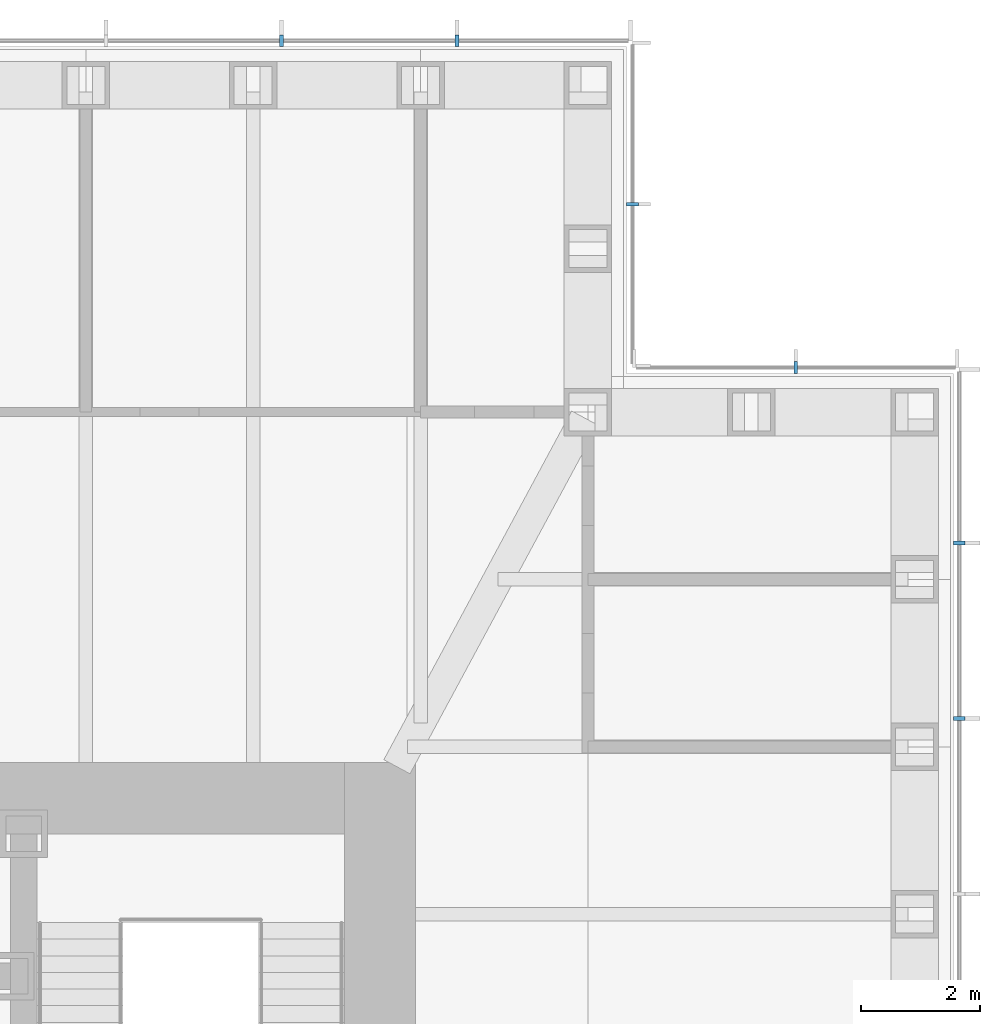
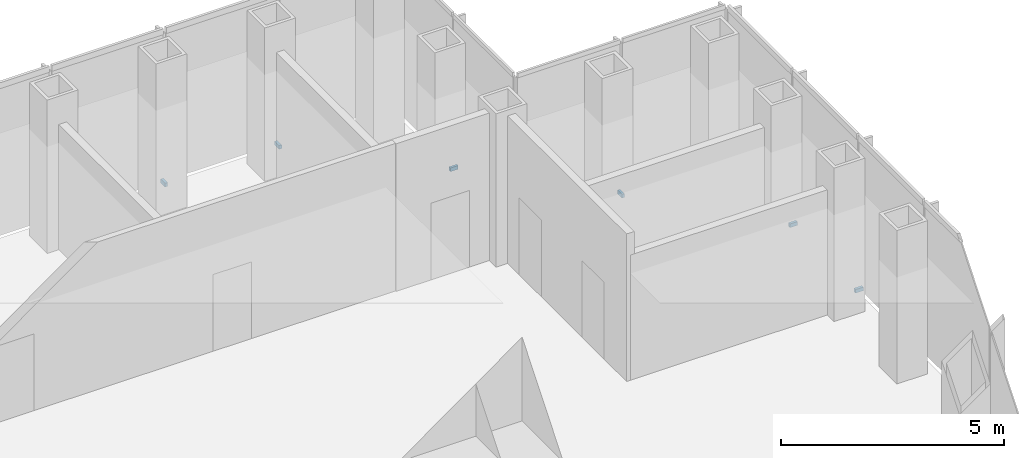
# One storey, part 15 of 16: 6 discrete accessories.
"""IFC4 building model written with IfcOpenShell, lengths in metres."""

import ifcopenshell
import ifcopenshell.guid

model = None  # the IFC model being written
_history = None  # IfcOwnerHistory: only IFC2X3 demands one
_inside = {}  # id of a spatial element -> (the spatial element, [elements in it])
_under = {}  # id of a project, library or spatial element -> (it, [spatial elements below it])
_declared = {}  # id of a project -> (the project, [libraries it declares])
_typed = {}  # id of a type object -> (the type object, [elements of that type])
_made_of = {}  # id of a material, layer set ... -> (it, [elements and type objects made of it])


def new_model(schema):
    """Start an empty IFC model of exactly this schema.

    Asked for "IFC4X3", IfcOpenShell would pick the latest addendum, in which some entities
    have other attributes; the version numbers below select the first issue.
    IFC2X3 requires an IfcOwnerHistory on every rooted entity: one is made here for all.
    """
    global model, _history
    if schema == "IFC4X3":
        model = ifcopenshell.file(schema_version=(4, 3, 0, 0))
    else:
        model = ifcopenshell.file(schema=schema)
    _inside.clear()
    _under.clear()
    _declared.clear()
    _typed.clear()
    _made_of.clear()
    _history = None
    if model.schema == "IFC2X3":
        org = make("IfcOrganization", Name="unknown")
        user = make(
            "IfcPersonAndOrganization",
            ThePerson=make("IfcPerson", FamilyName="unknown"),
            TheOrganization=org,
        )
        app = make(
            "IfcApplication",
            ApplicationDeveloper=org,
            Version="unknown",
            ApplicationFullName="unknown",
            ApplicationIdentifier="unknown",
        )
        _history = make(
            "IfcOwnerHistory",
            OwningUser=user,
            OwningApplication=app,
            ChangeAction="ADDED",
            CreationDate=0,
        )
    return model


def make(cls, **values):
    """One entity of the class cls with the attributes given. An attribute that is None is left unset."""
    return model.create_entity(
        cls, **{name: value for name, value in values.items() if value is not None}
    )


def rooted(cls, **values):
    """An entity with a GlobalId (a new one), such as an element, a storey or a relation."""
    return make(cls, GlobalId=ifcopenshell.guid.new(), OwnerHistory=_history, **values)


def si_unit(unit_type, name, prefix=None):
    """IfcSIUnit, for example si_unit("LENGTHUNIT", "METRE", prefix="MILLI")."""
    return make("IfcSIUnit", UnitType=unit_type, Prefix=prefix, Name=name)


def assignment(units):
    """IfcUnitAssignment: the units of a project."""
    return None if units is None else make("IfcUnitAssignment", Units=units)


def point(xyz):
    """IfcCartesianPoint."""
    return None if xyz is None else make("IfcCartesianPoint", Coordinates=xyz)


def direction(xyz):
    """IfcDirection."""
    return None if xyz is None else make("IfcDirection", DirectionRatios=xyz)


def frame(location, z_axis=None, x_axis=None):
    """IfcAxis2Placement3D, a coordinate frame: its origin and axes. An axis left out is left unset."""
    return make(
        "IfcAxis2Placement3D",
        Location=point(location),
        Axis=direction(z_axis),
        RefDirection=direction(x_axis),
    )


def frame_2d(location, x_axis=None):
    """IfcAxis2Placement2D, a coordinate frame in the plane: its origin and x axis."""
    return make(
        "IfcAxis2Placement2D", Location=point(location), RefDirection=direction(x_axis)
    )


def origin():
    """The frame at (0, 0, 0) with its axes left unset."""
    return frame((0.0, 0.0, 0.0))


def origin_2d():
    """The frame at (0, 0) in the plane with its x axis left unset."""
    return frame_2d((0.0, 0.0))


def place(relative_to, where):
    """IfcLocalPlacement: puts the frame where relative to a parent placement (None: the world)."""
    return make(
        "IfcLocalPlacement", PlacementRelTo=relative_to, RelativePlacement=where
    )


def context(
    kind, dimensions, precision=None, world=None, true_north=None, identifier=None
):
    """IfcGeometricRepresentationContext, for example the 3D "Model" context."""
    return make(
        "IfcGeometricRepresentationContext",
        ContextIdentifier=identifier,
        ContextType=kind,
        CoordinateSpaceDimension=dimensions,
        Precision=precision,
        WorldCoordinateSystem=world,
        TrueNorth=true_north,
    )


def subcontext(parent, identifier, kind, view, scale=None):
    """IfcGeometricRepresentationSubContext, for example "Body" below "Model"."""
    return make(
        "IfcGeometricRepresentationSubContext",
        ContextIdentifier=identifier,
        ContextType=kind,
        ParentContext=parent,
        TargetScale=scale,
        TargetView=view,
    )


def project(units=None, contexts=None):
    """IfcProject with its units and contexts."""
    return rooted(
        "IfcProject",
        Name="project",
        RepresentationContexts=contexts,
        UnitsInContext=assignment(units),
    )


def spatial(cls, under=None, at=None, **own):
    """A site, building, storey or space (cls), placed at a placement, below another one or the project."""
    s = rooted(cls, ObjectPlacement=at, **own)
    if under is not None:
        _under.setdefault(under.id(), (under, []))[1].append(s)
    return s


def profile(cls, at=None, kind="AREA", **sizes):
    """A parametric profile (cls). Its sizes go by their IFC names, for example OverallWidth=200.0."""
    return make(cls, ProfileType=kind, Position=at, **sizes)


def rectangle(**sizes):
    """IfcRectangleProfileDef."""
    return profile("IfcRectangleProfileDef", **sizes)


def extrude(swept, where, along, depth):
    """IfcExtrudedAreaSolid: the profile swept, set in the frame where, extruded along a direction by depth."""
    return make(
        "IfcExtrudedAreaSolid",
        SweptArea=swept,
        Position=where,
        ExtrudedDirection=direction(along),
        Depth=depth,
    )


def shape(context_of_items, identifier, shape_type, items):
    """IfcShapeRepresentation: the items that make up one representation, for example the "Body"."""
    return make(
        "IfcShapeRepresentation",
        ContextOfItems=context_of_items,
        RepresentationIdentifier=identifier,
        RepresentationType=shape_type,
        Items=items,
    )


def made_of(thing, what):
    """Note that an element or type object is made of a material, layer set ...; save() writes the relation."""
    if what is not None:
        _made_of.setdefault(what.id(), (what, []))[1].append(thing)
    return thing


def element(
    cls,
    number,
    at=None,
    inside=None,
    cuts=None,
    type_object=None,
    material=None,
    context=None,
    identifier="Body",
    shape_type=None,
    held_by="IfcProductDefinitionShape",
    body=None,
    shapes=None,
    **own,
):
    """One element of the class cls, such as IfcWall. Its Tag is "e" and its number.

    at: its placement. inside: the storey or other place that contains it. cuts: it is an
    opening in that element (IfcRelVoidsElement). A single representation is given by context,
    identifier, shape_type and body (its items); several are given by shapes. held_by: the class
    of the entity that holds the representations. save() writes the other relations.
    """
    e = rooted(cls, Tag="e%d" % number, ObjectPlacement=at, **own)
    if body is not None:
        shapes = [shape(context, identifier, shape_type, body)]
    if shapes is not None:
        e.Representation = make(held_by, Representations=shapes)
    if inside is not None:
        _inside.setdefault(inside.id(), (inside, []))[1].append(e)
    if cuts is not None:
        rooted(
            "IfcRelVoidsElement", RelatingBuildingElement=cuts, RelatedOpeningElement=e
        )
    if type_object is not None:
        _typed.setdefault(type_object.id(), (type_object, []))[1].append(e)
    return made_of(e, material)


def aggregate(whole, parts):
    """IfcRelAggregates: a whole, such as a stair, and the parts it consists of."""
    return rooted("IfcRelAggregates", RelatingObject=whole, RelatedObjects=parts)


def save(model, path):
    """Write the relations noted so far, then the file.

    IfcRelAggregates (storeys below a building ...), IfcRelContainedInSpatialStructure (elements
    in a storey), IfcRelDefinesByType, IfcRelAssociatesMaterial and IfcRelDeclares: one each for
    every whole, place, type object, material and project.
    """
    for whole, parts in _under.values():
        aggregate(whole, parts)
    for where, things in _inside.values():
        rooted(
            "IfcRelContainedInSpatialStructure",
            RelatedElements=things,
            RelatingStructure=where,
        )
    for kind, things in _typed.values():
        rooted("IfcRelDefinesByType", RelatedObjects=things, RelatingType=kind)
    for what, things in _made_of.values():
        rooted("IfcRelAssociatesMaterial", RelatedObjects=things, RelatingMaterial=what)
    for by, libraries in _declared.values():
        rooted("IfcRelDeclares", RelatingContext=by, RelatedDefinitions=libraries)
    model.write(path)


model = new_model("IFC4")

# Units and contexts
model_context = context("Model", 3, precision=1e-05, world=origin(), true_north=direction((0.0, 1.0)))
body_context = subcontext(model_context, "Body", "Model", "MODEL_VIEW")
ifc_project = project(units=[si_unit("LENGTHUNIT", "METRE"), si_unit("AREAUNIT", "SQUARE_METRE"), si_unit("VOLUMEUNIT", "CUBIC_METRE"), si_unit("PLANEANGLEUNIT", "RADIAN"), si_unit("MASSUNIT", "GRAM", prefix="KILO")], contexts=[model_context])

# Site, building, storey
site_placement = place(None, origin())
site = spatial("IfcSite", under=ifc_project, at=site_placement, CompositionType="ELEMENT")
building_placement = place(site_placement, origin())
building = spatial("IfcBuilding", under=site, at=building_placement, Name="Daluyong Arena Tower", CompositionType="ELEMENT")
storey_placement = place(building_placement, frame((0.0, 0.0, 227.5)))
storey = spatial("IfcBuildingStorey", under=building, at=storey_placement, Name="L51", CompositionType="ELEMENT", Elevation=227.5)

# Discrete accessories
for number, where, z_axis, x_axis, name in (
    (1, (77.75, 90.3408203125, -0.10009765625), (0.0, 0.0, 1.0), (0.0, 1.0, 0.0), "curtain wall L51 E anchor bracket 10"),
    (2, (77.75, 93.29541015625, -0.10009765625), (0.0, 0.0, 1.0), (0.0, 1.0, 0.0), "curtain wall L51 E anchor bracket 11"),
):
    element("IfcDiscreteAccessory", number, at=place(storey_placement, frame(where, z_axis=z_axis, x_axis=x_axis)), inside=storey, Name=name, PredefinedType="BRACKET", context=body_context, shape_type="SweptSolid", body=[
        extrude(rectangle(XDim=0.070068359375, YDim=0.199951171875, at=origin_2d()), origin(), (0.0, 0.0, 1.0), 0.10009765625),
    ])
for number, where, z_axis, x_axis, name in (
    (3, (75.0, 96.25, -0.10009765625), (0.0, 0.0, 1.0), (-1.0, 0.0, 0.0), "curtain wall L51 NE-N anchor bracket 2"),
    (4, (72.25, 99.0, -0.10009765625), (0.0, 0.0, 1.0), (0.0, 1.0, 0.0), "curtain wall L51 NE-E anchor bracket 2"),
):
    element("IfcDiscreteAccessory", number, at=place(storey_placement, frame(where, z_axis=z_axis, x_axis=x_axis)), inside=storey, Name=name, PredefinedType="BRACKET", context=body_context, shape_type="SweptSolid", body=[
        extrude(rectangle(XDim=0.06005859375, YDim=0.199951171875, at=origin_2d()), origin(), (0.0, 0.0, 1.0), 0.10009765625),
    ])
for number, where, z_axis, x_axis, name in (
    (5, (69.29541015625, 101.75, -0.10009765625), (0.0, 0.0, 1.0), (-1.0, 0.0, 0.0), "curtain wall L51 N anchor bracket 2"),
    (6, (66.3408203125, 101.75, -0.10009765625), (0.0, 0.0, 1.0), (-1.0, 0.0, 0.0), "curtain wall L51 N anchor bracket 3"),
):
    element("IfcDiscreteAccessory", number, at=place(storey_placement, frame(where, z_axis=z_axis, x_axis=x_axis)), inside=storey, Name=name, PredefinedType="BRACKET", context=body_context, shape_type="SweptSolid", body=[
        extrude(rectangle(XDim=0.070068359375, YDim=0.199951171875, at=origin_2d()), origin(), (0.0, 0.0, 1.0), 0.10009765625),
    ])

save(model, "model.ifc")
